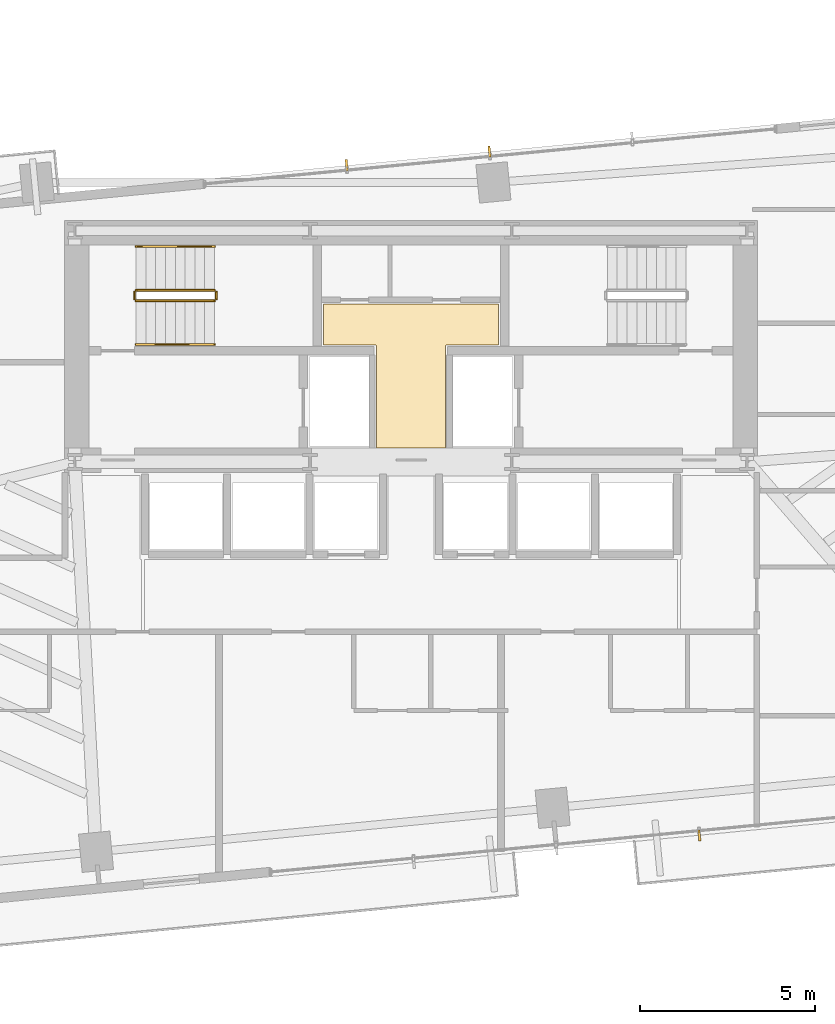
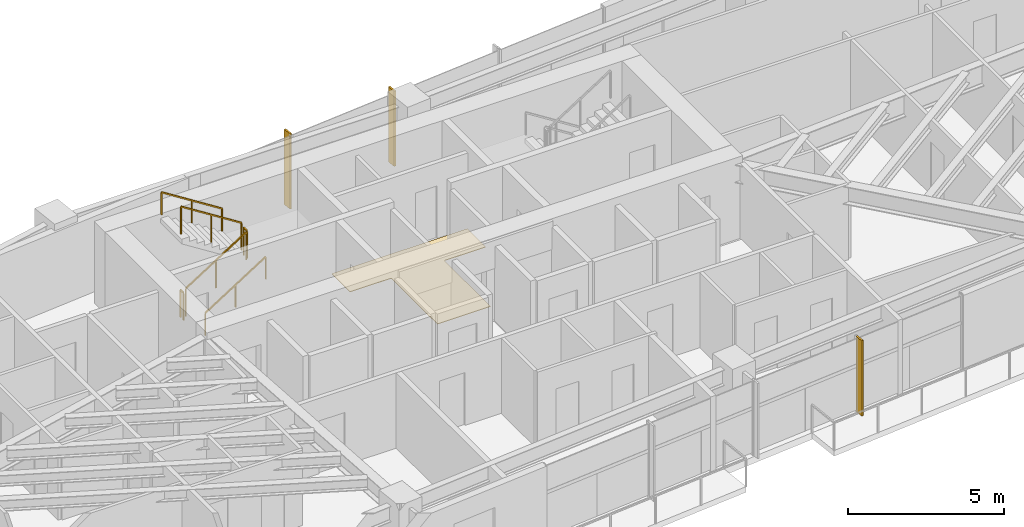
# One storey, part 24 of 25: 6 railings, 3 shading devices, 1 covering.
"""IFC4 building model written with IfcOpenShell, lengths in metres."""

from ifc_helpers import new_model, si_unit, direction, frame, origin, origin_2d, place, context, subcontext, project, spatial, polyline, rectangle, outline, extrude, source, transform, mapped, material, layer, layer_set, type_object, type_shapes, element, save


model = new_model("IFC4")

# Units and contexts
model_context = context("Model", 3, precision=1e-05, world=origin(), true_north=direction((0.0, 1.0)))
body_context = subcontext(model_context, "Body", "Model", "MODEL_VIEW")
ifc_project = project(units=[si_unit("LENGTHUNIT", "METRE"), si_unit("AREAUNIT", "SQUARE_METRE"), si_unit("VOLUMEUNIT", "CUBIC_METRE"), si_unit("PLANEANGLEUNIT", "RADIAN"), si_unit("MASSUNIT", "GRAM", prefix="KILO")], contexts=[model_context])

# Site, building, storey
site_placement = place(None, origin())
site = spatial("IfcSite", under=ifc_project, at=site_placement, CompositionType="ELEMENT")
building_placement = place(site_placement, origin())
building = spatial("IfcBuilding", under=site, at=building_placement, Name="Astriad Promenade Condominiums", CompositionType="ELEMENT")
storey_placement = place(building_placement, frame((0.0, 0.0, 100.199951171875)))
storey = spatial("IfcBuildingStorey", under=building, at=storey_placement, Name="L28", CompositionType="ELEMENT", Elevation=100.199951171875)

# Covering
ifc_material_1 = material(Name="Polished Lakefront Terrazzo Flooring")
ifc_layer = layer(ifc_material_1, 0.02001953125)
ifc_layer_set = layer_set([ifc_layer], Name="Polished Lakefront Terrazzo Flooring")
covering_type = type_object("IfcCoveringType", Name="COV-FLOR-TERRAZZO-20", PredefinedType="FLOORING", material=ifc_layer_set)
covering_placement = place(storey_placement, origin())
element("IfcCovering", 1, at=covering_placement, inside=storey, type_object=covering_type, Name="FLR-L28-CSL", PredefinedType="FLOORING", context=body_context, shape_type="SweptSolid", body=[
    extrude(outline(polyline([(36.97998046875, 20.699951171875), (36.97998046875, 17.7900390625), (35.02001953125, 17.7900390625), (35.02001953125, 20.699951171875), (35.019775390625, 20.703857421875), (35.019287109375, 20.707763671875), (35.018310546875, 20.711669921875), (35.01708984375, 20.71533203125), (35.015380859375, 20.718994140625), (35.01318359375, 20.72216796875), (35.010986328125, 20.725341796875), (35.00830078125, 20.728271484375), (35.00537109375, 20.73095703125), (35.002197265625, 20.7333984375), (34.998779296875, 20.7353515625), (34.995361328125, 20.737060546875), (34.99169921875, 20.73828125), (34.98779296875, 20.7392578125), (34.98388671875, 20.73974609375), (34.97998046875, 20.739990234375), (33.5, 20.739990234375), (33.5, 21.909912109375), (38.5, 21.909912109375), (38.5, 20.739990234375), (37.02001953125, 20.739990234375), (37.01611328125, 20.73974609375), (37.01220703125, 20.7392578125), (37.00830078125, 20.73828125), (37.004638671875, 20.737060546875), (37.001220703125, 20.7353515625), (36.997802734375, 20.7333984375), (36.99462890625, 20.73095703125), (36.99169921875, 20.728271484375), (36.989013671875, 20.725341796875), (36.98681640625, 20.72216796875), (36.984619140625, 20.718994140625), (36.98291015625, 20.71533203125), (36.981689453125, 20.711669921875), (36.980712890625, 20.707763671875), (36.980224609375, 20.703857421875), (36.97998046875, 20.699951171875)])), origin(), (0.0, 0.0, 1.0), 0.02001953125),
])

# Shading devices
ifc_material_2 = material(Name="Anodised aluminium 6063-T6 Black Fin", Category="aluminium")
shading_device_type = type_object("IfcShadingDeviceType", Name="FIN-BLACK-320", PredefinedType="USERDEFINED", material=ifc_material_2)
shared_shape_1 = source(origin(), body_context, "Body", "SweptSolid", [
    extrude(rectangle(XDim=0.06494140625, YDim=0.320068359375, at=origin_2d()), origin(), (0.0, 0.0, 1.0), 2.93994140625),
])
type_shapes(shading_device_type, [shared_shape_1])
for number, where, z_axis, x_axis, name in (
    (2, (34.164306640625, 25.87158203125, 0.0), (0.0, 0.0, 1.0), (0.995396198367, 0.09584575252, 0.0), "CW-L28-N-FIN-01"),
    (3, (38.240478515625, 26.263916015625, 0.0), (0.0, 0.0, 1.0), (0.995396198367, 0.09584575252, 0.0), "CW-L28-N-FIN-02"),
    (4, (44.235595703125, 6.728515625, 0.0), (0.0, 0.0, 1.0), (-0.995396198367, -0.09584575252, 0.0), "CW-L28-S-FIN-01"),
):
    element("IfcShadingDevice", number, at=place(storey_placement, frame(where, z_axis=z_axis, x_axis=x_axis)), inside=storey, type_object=shading_device_type, Name=name, ObjectType="FIN", PredefinedType="USERDEFINED", context=body_context, shape_type="MappedRepresentation", body=[
        mapped(shared_shape_1, transform((0.0, 0.0, 0.0), scale=1.0)),
    ])

# Railings
ifc_material_3 = material(Name="Painted Galvanised Steel Guardrail", Category="steel")
railing_type_1 = type_object("IfcRailingType", Name="GRD-STAIR-1100", PredefinedType="GUARDRAIL", material=ifc_material_3)
shared_shape_2 = source(origin(), body_context, "Body", "SweptSolid", [
    extrude(rectangle(XDim=0.048095703125, YDim=0.048095703125, at=origin_2d()), frame((0.0, 0.0, 1.076171875), z_axis=(0.0, 1.0, 0.0), x_axis=(-1.0, 0.0, 0.0)), (0.0, 0.0, 1.0), 0.199951171875),
    extrude(rectangle(XDim=0.0419921875, YDim=0.0419921875, at=origin_2d()), origin(), (0.0, 0.0, 1.0), 1.052001953125),
    extrude(rectangle(XDim=0.0419921875, YDim=0.0419921875, at=origin_2d()), frame((0.0, 0.199951171875, 0.0)), (0.0, 0.0, 1.0), 1.052001953125),
])
for number, where, name in (
    (5, (30.43994140625, 22.050048828125, 1.60009765625), "L28 ST-1 stair guard 2"),
    (6, (28.10009765625, 22.050048828125, 0.0), "L28 ST-1 stair guard 4"),
):
    element("IfcRailing", number, at=place(storey_placement, frame(where)), inside=storey, type_object=railing_type_1, Name=name, PredefinedType="GUARDRAIL", context=body_context, shape_type="MappedRepresentation", body=[
        mapped(shared_shape_2, transform((0.0, 0.0, 0.0), scale=1.0)),
    ])
shared_shape_3 = source(origin(), body_context, "Body", "SweptSolid", [
    extrude(rectangle(XDim=0.048095703125, YDim=0.048095703125, at=origin_2d()), frame((0.0, 0.0, 1.076171875), z_axis=(0.84418770128, 0.0, 0.536047689118), x_axis=(0.0, 1.0, 0.0)), (0.0, 0.0, 1.0), 2.6533203125),
    extrude(rectangle(XDim=0.0419921875, YDim=0.0419921875, at=origin_2d()), origin(), (0.0, 0.0, 1.0), 1.052001953125),
    extrude(rectangle(XDim=0.0419921875, YDim=0.0419921875, at=origin_2d()), frame((1.1201171875, 0.0, 0.711181640625)), (0.0, 0.0, 1.0), 1.052001953125),
    extrude(rectangle(XDim=0.0419921875, YDim=0.0419921875, at=origin_2d()), frame((2.239990234375, 0.0, 1.42236328125)), (0.0, 0.0, 1.0), 1.052001953125),
])
railing_1_placement = place(storey_placement, frame((28.14990234375, 22.0, 0.177734375)))
element("IfcRailing", 7, at=railing_1_placement, inside=storey, type_object=railing_type_1, Name="L28 ST-1 stair guard 1", PredefinedType="GUARDRAIL", context=body_context, shape_type="MappedRepresentation", body=[
    mapped(shared_shape_3, transform((0.0, 0.0, 0.0), scale=1.0)),
])
shared_shape_4 = source(origin(), body_context, "Body", "SweptSolid", [
    extrude(rectangle(XDim=0.048095703125, YDim=0.048095703125, at=origin_2d()), frame((0.0, 0.0, 1.076171875), z_axis=(-0.8442293374, 0.0, 0.53598211339), x_axis=(0.0, -1.0, 0.0)), (0.0, 0.0, 1.0), 2.6533203125),
    extrude(rectangle(XDim=0.0419921875, YDim=0.0419921875, at=origin_2d()), origin(), (0.0, 0.0, 1.0), 1.052001953125),
    extrude(rectangle(XDim=0.0419921875, YDim=0.0419921875, at=origin_2d()), frame((-1.1201171875, 0.0, 0.7109375)), (0.0, 0.0, 1.0), 1.052001953125),
    extrude(rectangle(XDim=0.0419921875, YDim=0.0419921875, at=origin_2d()), frame((-2.239990234375, 0.0, 1.422119140625)), (0.0, 0.0, 1.0), 1.052001953125),
])
type_shapes(railing_type_1, [shared_shape_2, shared_shape_3, shared_shape_4])
railing_2_placement = place(storey_placement, frame((30.389892578125, 22.300048828125, 1.77783203125)))
element("IfcRailing", 8, at=railing_2_placement, inside=storey, type_object=railing_type_1, Name="L28 ST-1 stair guard 3", PredefinedType="GUARDRAIL", context=body_context, shape_type="MappedRepresentation", body=[
    mapped(shared_shape_4, transform((0.0, 0.0, 0.0), scale=1.0)),
])
ifc_material_4 = material(Name="Brushed Stainless Steel Handrail", Category="steel")
railing_type_2 = type_object("IfcRailingType", Name="HRL-STAIR-920", PredefinedType="HANDRAIL", material=ifc_material_4)
shared_shape_5 = source(origin(), body_context, "Body", "SweptSolid", [
    extrude(rectangle(XDim=0.048095703125, YDim=0.048095703125, at=origin_2d()), frame((0.0, 0.0, 0.8759765625), z_axis=(0.84418770128, 0.0, 0.536047689118), x_axis=(0.0, 1.0, 0.0)), (0.0, 0.0, 1.0), 2.6533203125),
    extrude(rectangle(XDim=0.0419921875, YDim=0.0419921875, at=origin_2d()), origin(), (0.0, 0.0, 1.0), 0.851806640625),
    extrude(rectangle(XDim=0.0419921875, YDim=0.0419921875, at=origin_2d()), frame((1.1201171875, 0.0, 0.711181640625)), (0.0, 0.0, 1.0), 0.851806640625),
    extrude(rectangle(XDim=0.0419921875, YDim=0.0419921875, at=origin_2d()), frame((2.239990234375, 0.0, 1.42236328125)), (0.0, 0.0, 1.0), 0.851806640625),
])
railing_3_placement = place(storey_placement, frame((28.14990234375, 20.75, 0.177734375)))
element("IfcRailing", 9, at=railing_3_placement, inside=storey, type_object=railing_type_2, Name="L28 ST-1 stair handrail 1", PredefinedType="HANDRAIL", context=body_context, shape_type="MappedRepresentation", body=[
    mapped(shared_shape_5, transform((0.0, 0.0, 0.0), scale=1.0)),
])
shared_shape_6 = source(origin(), body_context, "Body", "SweptSolid", [
    extrude(rectangle(XDim=0.048095703125, YDim=0.048095703125, at=origin_2d()), frame((0.0, 0.0, 0.8759765625), z_axis=(-0.8442293374, 0.0, 0.53598211339), x_axis=(0.0, -1.0, 0.0)), (0.0, 0.0, 1.0), 2.6533203125),
    extrude(rectangle(XDim=0.0419921875, YDim=0.0419921875, at=origin_2d()), origin(), (0.0, 0.0, 1.0), 0.851806640625),
    extrude(rectangle(XDim=0.0419921875, YDim=0.0419921875, at=origin_2d()), frame((-1.1201171875, 0.0, 0.7109375)), (0.0, 0.0, 1.0), 0.851806640625),
    extrude(rectangle(XDim=0.0419921875, YDim=0.0419921875, at=origin_2d()), frame((-2.239990234375, 0.0, 1.422119140625)), (0.0, 0.0, 1.0), 0.851806640625),
])
type_shapes(railing_type_2, [shared_shape_5, shared_shape_6])
railing_4_placement = place(storey_placement, frame((30.389892578125, 23.550048828125, 1.77783203125)))
element("IfcRailing", 10, at=railing_4_placement, inside=storey, type_object=railing_type_2, Name="L28 ST-1 stair handrail 2", PredefinedType="HANDRAIL", context=body_context, shape_type="MappedRepresentation", body=[
    mapped(shared_shape_6, transform((0.0, 0.0, 0.0), scale=1.0)),
])

save(model, "model.ifc")
